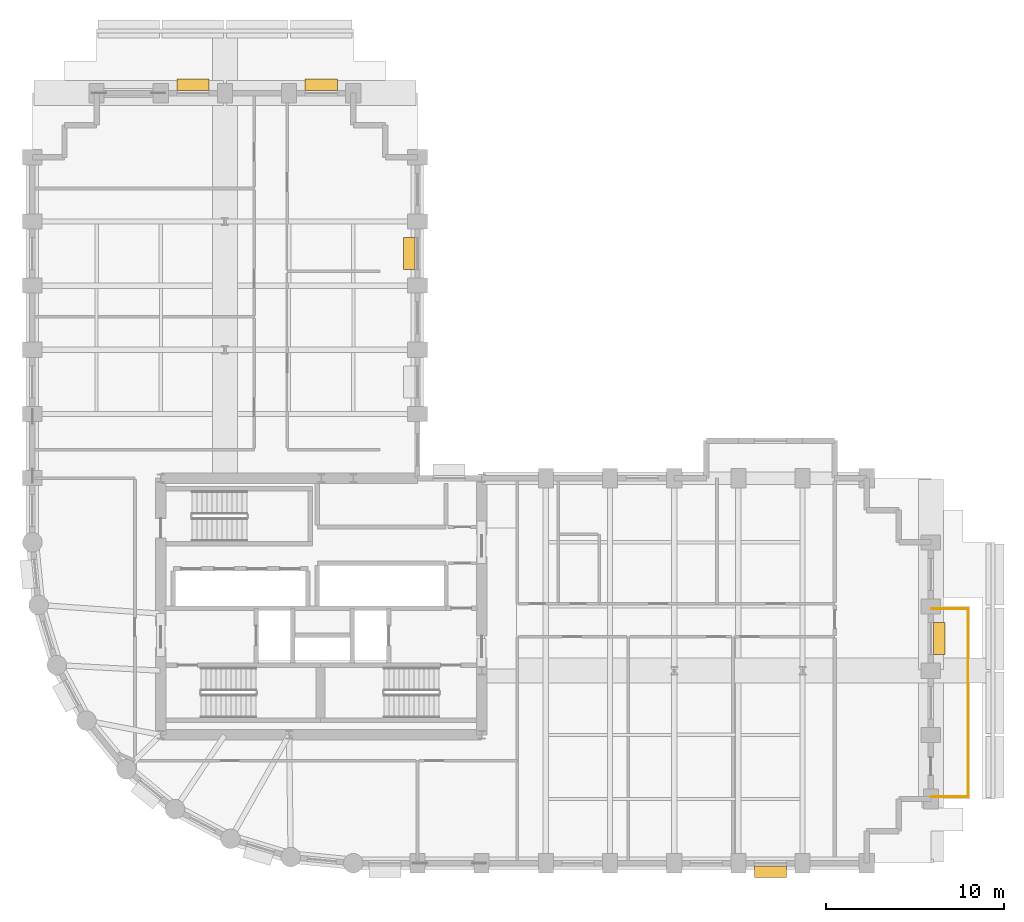
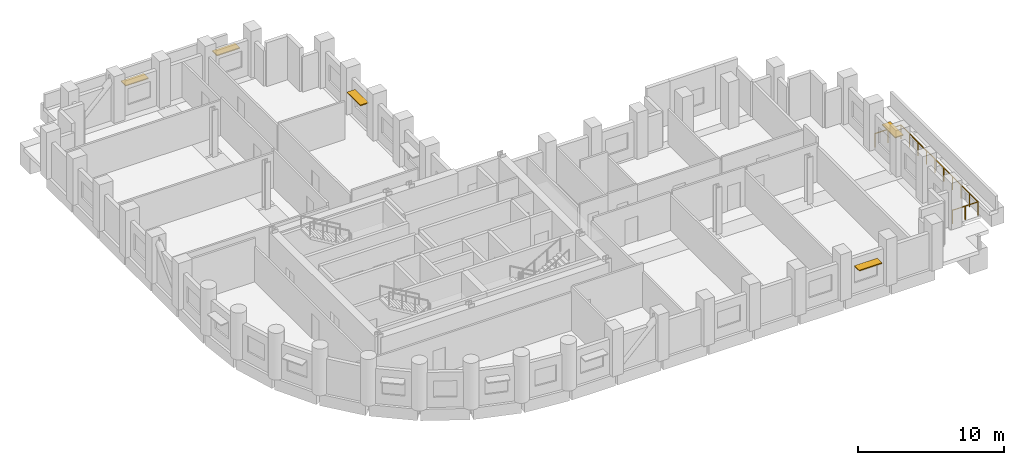
# One storey, part 9 of 9: 5 shading devices, 3 railings.
"""IFC4 building model written with IfcOpenShell, lengths in metres."""

from ifc_helpers import new_model, si_unit, direction, frame, origin, origin_2d, place, context, subcontext, project, spatial, rectangle, circle, extrude, material, layer, layer_set, type_object, element, save


model = new_model("IFC4")

# Units and contexts
model_context = context("Model", 3, precision=1e-05, world=origin(), true_north=direction((0.0, 1.0)))
body_context = subcontext(model_context, "Body", "Model", "MODEL_VIEW")
ifc_project = project(units=[si_unit("LENGTHUNIT", "METRE"), si_unit("AREAUNIT", "SQUARE_METRE"), si_unit("VOLUMEUNIT", "CUBIC_METRE"), si_unit("PLANEANGLEUNIT", "RADIAN"), si_unit("MASSUNIT", "GRAM", prefix="KILO")], contexts=[model_context])

# Site, building, storey
site_placement = place(None, origin())
site = spatial("IfcSite", under=ifc_project, at=site_placement, CompositionType="ELEMENT")
building_placement = place(site_placement, origin())
building = spatial("IfcBuilding", under=site, at=building_placement, Name="Solnavia Interchange Tower", CompositionType="ELEMENT")
storey_placement = place(building_placement, frame((0.0, 0.0, 80.10009765625)))
storey = spatial("IfcBuildingStorey", under=building, at=storey_placement, Name="L19", CompositionType="ELEMENT", Elevation=80.10009765625)

# Railings
ifc_material_1 = material(Name="Laminated Safety Glass & Stainless Steel", Category="steel")
railing_type = type_object("IfcRailingType", Name="Railing-TerraceGuard-1150", PredefinedType="GUARDRAIL", material=ifc_material_1)
railing_1_placement = place(storey_placement, frame((57.64990234375, 7.320068359375, -0.0400390625)))
element("IfcRailing", 1, at=railing_1_placement, inside=storey, type_object=railing_type, Name="GRD-L19-TER-01 Perimeter terrace guardrail", PredefinedType="GUARDRAIL", context=body_context, shape_type="SweptSolid", body=[
    extrude(circle(Radius=0.02392578125, at=origin_2d()), frame((0.0, 0.0, 1.1259765625), z_axis=(1.0, 0.0, 0.0), x_axis=(0.0, 1.0, 0.0)), (0.0, 0.0, 1.0), 2.030029296875),
    extrude(circle(Radius=0.02099609375, at=origin_2d()), origin(), (0.0, 0.0, 1.0), 1.101806640625),
    extrude(circle(Radius=0.02099609375, at=origin_2d()), frame((1.01513671875, 0.0, 0.0)), (0.0, 0.0, 1.0), 1.101806640625),
    extrude(circle(Radius=0.02099609375, at=origin_2d()), frame((2.030029296875, 0.0, 0.0)), (0.0, 0.0, 1.0), 1.101806640625),
])
railing_2_placement = place(storey_placement, frame((59.679931640625, 7.320068359375, -0.0400390625)))
element("IfcRailing", 2, at=railing_2_placement, inside=storey, type_object=railing_type, Name="GRD-L19-TER-02 Perimeter terrace guardrail", PredefinedType="GUARDRAIL", context=body_context, shape_type="SweptSolid", body=[
    extrude(circle(Radius=0.02392578125, at=origin_2d()), frame((0.0, 0.0, 1.1259765625), z_axis=(0.0, 1.0, 0.0), x_axis=(-1.0, 0.0, 0.0)), (0.0, 0.0, 1.0), 10.559814453125),
    extrude(circle(Radius=0.02099609375, at=origin_2d()), origin(), (0.0, 0.0, 1.0), 1.101806640625),
    extrude(circle(Radius=0.02099609375, at=origin_2d()), frame((0.0, 1.17333984375, 0.0)), (0.0, 0.0, 1.0), 1.101806640625),
    extrude(circle(Radius=0.02099609375, at=origin_2d()), frame((0.0, 2.3466796875, 0.0)), (0.0, 0.0, 1.0), 1.101806640625),
    extrude(circle(Radius=0.02099609375, at=origin_2d()), frame((0.0, 3.52001953125, 0.0)), (0.0, 0.0, 1.0), 1.101806640625),
    extrude(circle(Radius=0.02099609375, at=origin_2d()), frame((0.0, 4.693359375, 0.0)), (0.0, 0.0, 1.0), 1.101806640625),
    extrude(circle(Radius=0.02099609375, at=origin_2d()), frame((0.0, 5.866455078125, 0.0)), (0.0, 0.0, 1.0), 1.101806640625),
    extrude(circle(Radius=0.02099609375, at=origin_2d()), frame((0.0, 7.039794921875, 0.0)), (0.0, 0.0, 1.0), 1.101806640625),
    extrude(circle(Radius=0.02099609375, at=origin_2d()), frame((0.0, 8.213134765625, 0.0)), (0.0, 0.0, 1.0), 1.101806640625),
    extrude(circle(Radius=0.02099609375, at=origin_2d()), frame((0.0, 9.386474609375, 0.0)), (0.0, 0.0, 1.0), 1.101806640625),
    extrude(circle(Radius=0.02099609375, at=origin_2d()), frame((0.0, 10.559814453125, 0.0)), (0.0, 0.0, 1.0), 1.101806640625),
])
railing_3_placement = place(storey_placement, frame((59.679931640625, 17.8798828125, -0.0400390625)))
element("IfcRailing", 3, at=railing_3_placement, inside=storey, type_object=railing_type, Name="GRD-L19-TER-03 Perimeter terrace guardrail", PredefinedType="GUARDRAIL", context=body_context, shape_type="SweptSolid", body=[
    extrude(circle(Radius=0.02392578125, at=origin_2d()), frame((0.0, 0.0, 1.1259765625), z_axis=(-1.0, 0.0, 0.0), x_axis=(0.0, -1.0, 0.0)), (0.0, 0.0, 1.0), 2.030029296875),
    extrude(circle(Radius=0.02099609375, at=origin_2d()), origin(), (0.0, 0.0, 1.0), 1.101806640625),
    extrude(circle(Radius=0.02099609375, at=origin_2d()), frame((-1.01513671875, 0.0, 0.0)), (0.0, 0.0, 1.0), 1.101806640625),
    extrude(circle(Radius=0.02099609375, at=origin_2d()), frame((-2.030029296875, 0.0, 0.0)), (0.0, 0.0, 1.0), 1.101806640625),
])

# Shading devices
ifc_material_2 = material(Name="Anodised Aluminium Sunshade", Category="aluminium")
ifc_layer = layer(ifc_material_2, 0.080078125)
ifc_layer_set = layer_set([ifc_layer], Name="Anodised Aluminium Sunshade")
shading_device_type = type_object("IfcShadingDeviceType", Name="Sunshade-Band-650", PredefinedType="SHUTTER", material=ifc_layer_set)
for number, where, z_axis, x_axis, name in (
    (4, (48.60009765625, 3.1298828125, 2.219970703125), (0.0, 0.0, 1.0), (-1.0, 0.0, 0.0), "SHD-L19-07 Horizontal sunshade band"),
    (5, (58.070068359375, 16.199951171875, 2.219970703125), (0.0, 0.0, 1.0), (0.0, -1.0, 0.0), "SHD-L19-15 Horizontal sunshade band"),
    (6, (28.330078125, 37.800048828125, 2.219970703125), (0.0, 0.0, 1.0), (0.0, 1.0, 0.0), "SHD-L19-35 Horizontal sunshade band"),
    (7, (23.39990234375, 47.27001953125, 2.219970703125), (0.0, 0.0, 1.0), (1.0, 0.0, 0.0), "SHD-L19-41 Horizontal sunshade band"),
    (8, (16.199951171875, 47.27001953125, 2.219970703125), (0.0, 0.0, 1.0), (1.0, 0.0, 0.0), "SHD-L19-43 Horizontal sunshade band"),
):
    element("IfcShadingDevice", number, at=place(storey_placement, frame(where, z_axis=z_axis, x_axis=x_axis)), inside=storey, type_object=shading_device_type, Name=name, PredefinedType="SHUTTER", context=body_context, shape_type="SweptSolid", body=[
        extrude(rectangle(XDim=1.800048828125, YDim=0.64990234375, at=origin_2d()), origin(), (0.0, 0.0, 1.0), 0.080078125),
    ])

save(model, "model.ifc")
